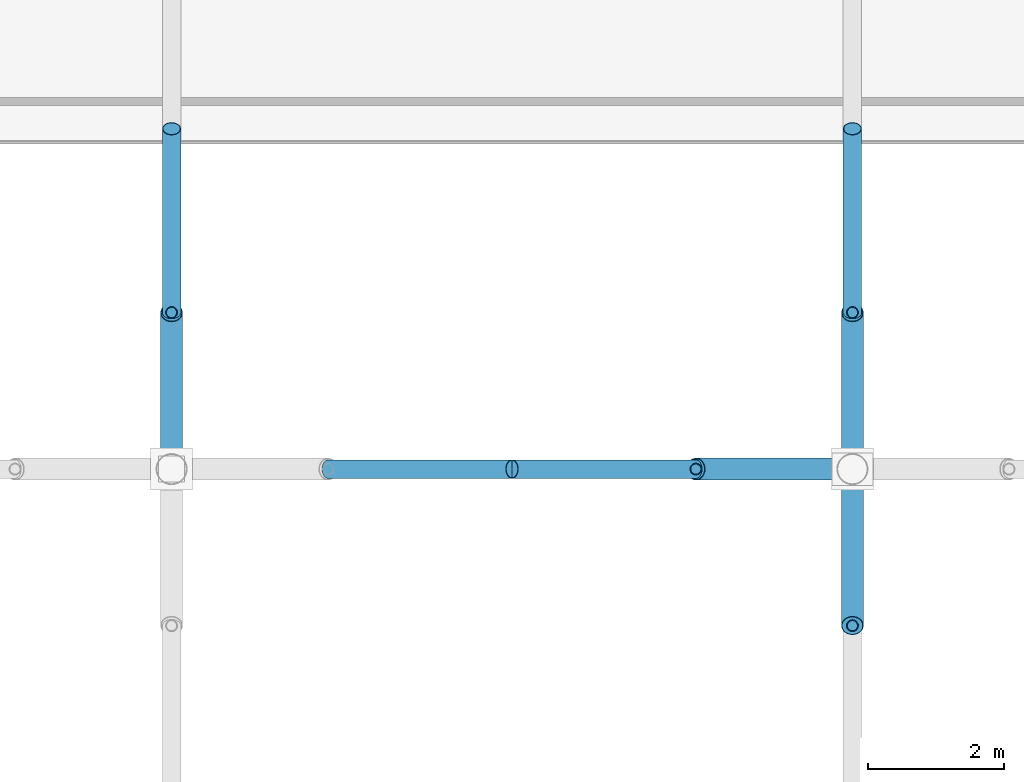
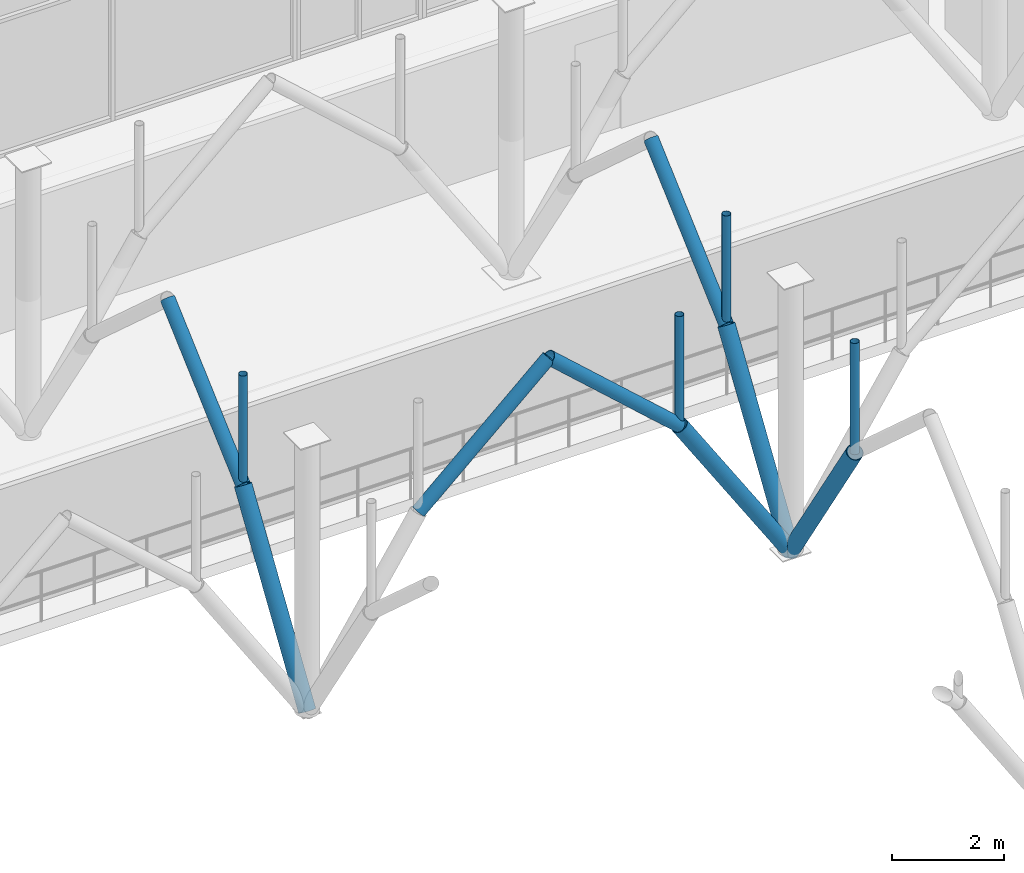
# One storey, part 57 of 109: 12 members.
"""IFC4 building model written with IfcOpenShell, lengths in metres."""

from ifc_helpers import new_model, si_unit, derived_unit, direction, frame, origin, origin_2d_with_axis, place, context, subcontext, project, spatial, hollow_circle, extrude, material, material_profile, profile_set, type_object, element, save


model = new_model("IFC4")

# Units and contexts
model_context = context("Model", 3, precision=1e-05, world=origin(), true_north=direction((0.0, 1.0)))
body_context = subcontext(model_context, "Body", "Model", "MODEL_VIEW")
ifc_project = project(units=[si_unit("LENGTHUNIT", "METRE"), si_unit("AREAUNIT", "SQUARE_METRE"), si_unit("VOLUMEUNIT", "CUBIC_METRE"), si_unit("PLANEANGLEUNIT", "RADIAN"), si_unit("MASSUNIT", "GRAM", prefix="KILO"), derived_unit("THERMALTRANSMITTANCEUNIT", [(si_unit("POWERUNIT", "WATT"), 1), (si_unit("LENGTHUNIT", "METRE"), -2), (si_unit("THERMODYNAMICTEMPERATUREUNIT", "KELVIN"), -1)])], contexts=[model_context])

# Site, building, storey
site_placement = place(None, origin())
site = spatial("IfcSite", under=ifc_project, at=site_placement, CompositionType="ELEMENT")
building_placement = place(site_placement, origin())
building = spatial("IfcBuilding", under=site, at=building_placement, Name="Cinnabar Yard Market Hall", CompositionType="ELEMENT")
storey_placement = place(building_placement, frame((0.0, 0.0, 8.39990234375)))
storey = spatial("IfcBuildingStorey", under=building, at=storey_placement, Name="L02", CompositionType="ELEMENT", Elevation=8.39990234375)

# Members
ifc_material_1 = material(Name="Spotted-gum glulam-clad steel Grade 350 (350 MPa)", Category="steel")
ifc_material_profile_1 = material_profile(ifc_material_1, hollow_circle(Radius=0.136474609375, WallThickness=0.00927734375, at=origin_2d_with_axis()), Name="273.1x9.3CHS")
ifc_profile_set_1 = profile_set([ifc_material_profile_1], Name="Spotted-gum glulam-clad steel Grade 350 (350 MPa)")
member_type_1 = type_object("IfcMemberType", Name="MB-AR01", PredefinedType="USERDEFINED", material=ifc_profile_set_1)
for number, where, z_axis, x_axis, name in (
    (1, (118.300048828125, 54.0, 3.550048828125), (0.743297488271, 0.0, 0.668961018244), (0.0, 1.0, 0.0), "Pointed Arch Rib 0075"),
    (2, (116.0, 56.300048828125, 3.550048828125), (0.0, 0.743297488271, 0.668961018244), (-1.0, 0.0, 0.0), "Pointed Arch Rib 0077"),
    (3, (123.699951171875, 54.0, 3.550048828125), (-0.743297488271, 0.0, 0.668961018244), (0.0, -1.0, 0.0), "Pointed Arch Rib 0094"),
    (4, (126.0, 56.300048828125, 3.550048828125), (0.0, 0.743297488271, 0.668961018244), (-1.0, 0.0, 0.0), "Pointed Arch Rib 0095"),
):
    element("IfcMember", number, at=place(storey_placement, frame(where, z_axis=z_axis, x_axis=x_axis)), inside=storey, type_object=member_type_1, Name=name, ObjectType="ARCH RIB", PredefinedType="USERDEFINED", context=body_context, shape_type="SweptSolid", body=[
        extrude(hollow_circle(Radius=0.136474609375, WallThickness=0.00927734375, at=origin_2d_with_axis()), origin(), (0.0, 0.0, 1.0), 3.63232421875),
    ])
ifc_material_profile_2 = material_profile(ifc_material_1, hollow_circle(Radius=0.161865234375, WallThickness=0.009521484375, at=origin_2d_with_axis()), Name="323.9x9.5CHS")
ifc_profile_set_2 = profile_set([ifc_material_profile_2], Name="Spotted-gum glulam-clad steel Grade 350 (350 MPa)")
member_type_2 = type_object("IfcMemberType", Name="MB-ST01", PredefinedType="STRUT", material=ifc_profile_set_2)
for number, where, z_axis, x_axis, name in (
    (5, (116.0, 54.0, 0.0), (0.0, 0.543744165176, 0.839251024925), (-1.0, 0.0, 0.0), "Curved Branch Arm Lower 0077"),
    (6, (126.0, 54.0, 0.0), (-0.543744165176, 0.0, 0.839251024925), (0.0, -1.0, 0.0), "Curved Branch Arm Lower 0094"),
    (7, (126.0, 54.0, 0.0), (0.0, 0.543744165176, 0.839251024925), (-1.0, 0.0, 0.0), "Curved Branch Arm Lower 0095"),
    (8, (126.0, 54.0, 0.0), (0.0, -0.543744165176, 0.839251024925), (1.0, 0.0, 0.0), "Curved Branch Arm Lower 0096"),
):
    element("IfcMember", number, at=place(storey_placement, frame(where, z_axis=z_axis, x_axis=x_axis)), inside=storey, type_object=member_type_2, Name=name, PredefinedType="STRUT", context=body_context, shape_type="SweptSolid", body=[
        extrude(hollow_circle(Radius=0.161865234375, WallThickness=0.009521484375, at=origin_2d_with_axis()), origin(), (0.0, 0.0, 1.0), 4.22998046875),
    ])
ifc_material_2 = material(Name="Cold-formed steel C350L0", Category="steel")
ifc_material_profile_3 = material_profile(ifc_material_2, hollow_circle(Radius=0.084228515625, WallThickness=0.00634765625, at=origin_2d_with_axis()), Name="168.3x6.4CHS")
ifc_profile_set_3 = profile_set([ifc_material_profile_3], Name="Cold-formed steel C350L0")
member_type_3 = type_object("IfcMemberType", Name="MB-WB01", PredefinedType="STRUT", material=ifc_profile_set_3)
for number, where, z_axis, x_axis, name in (
    (9, (116.0, 56.300048828125, 3.550048828125), (0.0, 0.0, 1.0), (1.0, 0.0, 0.0), "Arch Spandrel Post 0077"),
    (10, (123.699951171875, 54.0, 3.550048828125), (0.0, 0.0, 1.0), (1.0, 0.0, 0.0), "Arch Spandrel Post 0094"),
    (11, (126.0, 56.300048828125, 3.550048828125), (0.0, 0.0, 1.0), (1.0, 0.0, 0.0), "Arch Spandrel Post 0095"),
    (12, (126.0, 51.699951171875, 3.550048828125), (0.0, 0.0, 1.0), (1.0, 0.0, 0.0), "Arch Spandrel Post 0096"),
):
    element("IfcMember", number, at=place(storey_placement, frame(where, z_axis=z_axis, x_axis=x_axis)), inside=storey, type_object=member_type_3, Name=name, PredefinedType="STRUT", context=body_context, shape_type="SweptSolid", body=[
        extrude(hollow_circle(Radius=0.084228515625, WallThickness=0.00634765625, at=origin_2d_with_axis()), origin(), (0.0, 0.0, 1.0), 2.429931640625),
    ])

save(model, "model.ifc")
